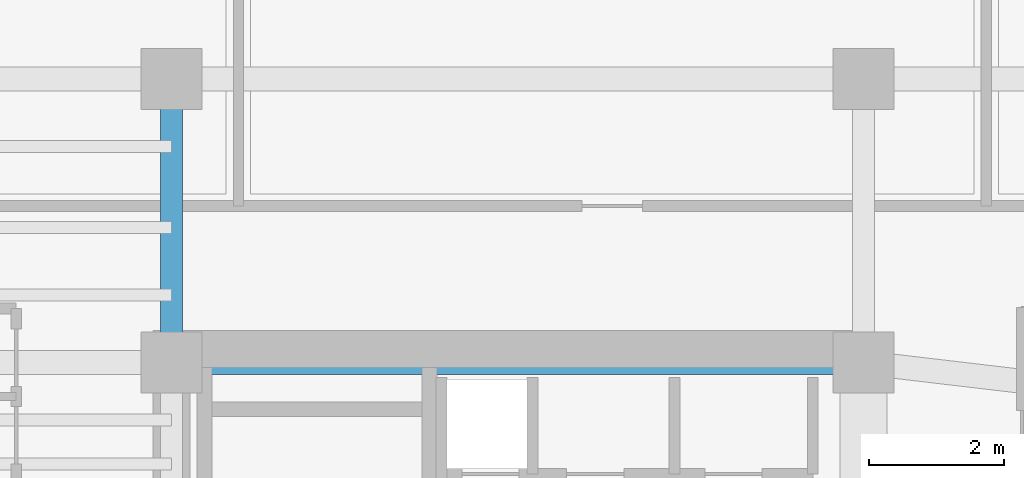
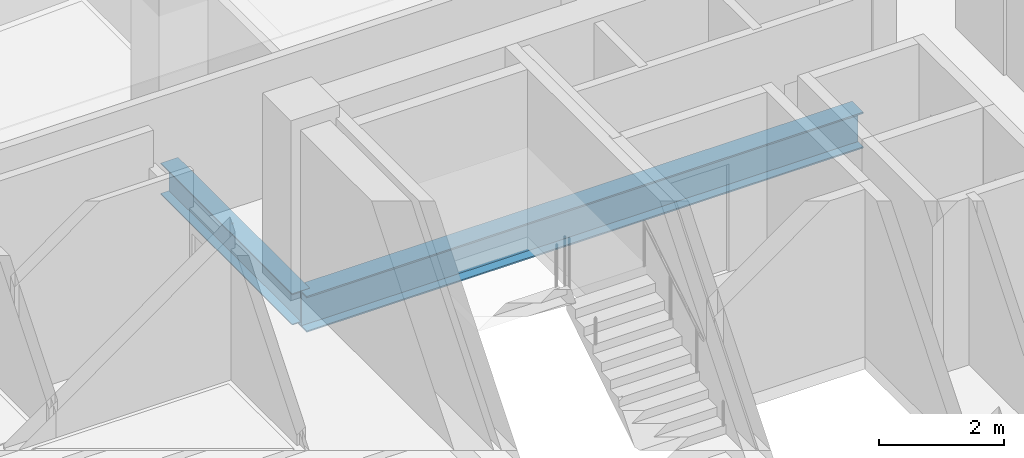
# One storey, part 9 of 21: 2 beams.
"""IFC4 building model written with IfcOpenShell, lengths in metres."""

from ifc_helpers import new_model, si_unit, direction, frame, origin, origin_2d, place, context, subcontext, project, spatial, i_section, extrude, source, transform, mapped, material, material_profile, profile_set, type_object, element, save


model = new_model("IFC4")

# Units and contexts
model_context = context("Model", 3, precision=1e-05, world=origin(), true_north=direction((0.0, 1.0)))
body_context = subcontext(model_context, "Body", "Model", "MODEL_VIEW")
ifc_project = project(units=[si_unit("LENGTHUNIT", "METRE"), si_unit("AREAUNIT", "SQUARE_METRE"), si_unit("VOLUMEUNIT", "CUBIC_METRE"), si_unit("PLANEANGLEUNIT", "RADIAN"), si_unit("MASSUNIT", "GRAM", prefix="KILO")], contexts=[model_context])

# Site, building, storey
site_placement = place(None, origin())
site = spatial("IfcSite", under=ifc_project, at=site_placement, CompositionType="ELEMENT")
building_placement = place(site_placement, origin())
building = spatial("IfcBuilding", under=site, at=building_placement, Name="Valdorenza Pilgrim Sanctuary Tower", CompositionType="ELEMENT")
storey_placement = place(building_placement, frame((0.0, 0.0, 223.0)))
storey = spatial("IfcBuildingStorey", under=building, at=storey_placement, Name="L57", CompositionType="ELEMENT", Elevation=223.0)

# Beams
ifc_material = material(Name="Steel ASTM A992 Grade 50", Category="steel")
ifc_material_profile_1 = material_profile(ifc_material, i_section(OverallWidth=0.323974609375, OverallDepth=0.611083984375, WebThickness=0.0126953125, FlangeThickness=0.01904296875, at=origin_2d()), Name="W24X104")
ifc_profile_set_1 = profile_set([ifc_material_profile_1], Name="Steel ASTM A992 Grade 50")
beam_type_1 = type_object("IfcBeamType", Name="STR-BM-GRD-W24B", PredefinedType="BEAM", material=ifc_profile_set_1)
shared_shape_1 = source(origin(), body_context, "Body", "SweptSolid", [
    extrude(i_section(OverallWidth=0.323974609375, OverallDepth=0.611083984375, WebThickness=0.0126953125, FlangeThickness=0.01904296875, at=origin_2d()), origin(), (0.0, 0.0, 1.0), 4.199951171875),
])
beam_1_placement = place(storey_placement, frame((-22.64990234375, 10.60009765625, -0.54541015625), z_axis=(0.0, 1.0, 0.0), x_axis=(-1.0, 0.0, 0.0)))
element("IfcBeam", 1, at=beam_1_placement, inside=storey, type_object=beam_type_1, Name="L57 Core Tie Girder CA-W-N1N2", PredefinedType="BEAM", context=body_context, shape_type="MappedRepresentation", body=[
    mapped(shared_shape_1, transform((0.0, 0.0, 0.0), x_axis=(1.0, 0.0, 0.0), y_axis=(0.0, 1.0, 0.0), z_axis=(0.0, 0.0, 1.0), scale=1.0)),
])
ifc_material_profile_2 = material_profile(ifc_material, i_section(OverallWidth=0.35595703125, OverallDepth=0.700927734375, WebThickness=0.016845703125, FlangeThickness=0.02734375, at=origin_2d()), Name="W27X161")
ifc_profile_set_2 = profile_set([ifc_material_profile_2], Name="Steel ASTM A992 Grade 50")
beam_type_2 = type_object("IfcBeamType", Name="STR-BM-GRD-W27", PredefinedType="BEAM", material=ifc_profile_set_2)
shared_shape_2 = source(origin(), body_context, "Body", "SweptSolid", [
    extrude(i_section(OverallWidth=0.35595703125, OverallDepth=0.700927734375, WebThickness=0.016845703125, FlangeThickness=0.02734375, at=origin_2d()), origin(), (0.0, 0.0, 1.0), 10.25),
])
beam_2_placement = place(storey_placement, frame((-22.64990234375, 10.60009765625, -0.590576171875), z_axis=(1.0, 0.0, 0.0), x_axis=(0.0, 1.0, 0.0)))
element("IfcBeam", 2, at=beam_2_placement, inside=storey, type_object=beam_type_2, Name="L57 Floor Girder CA-XC-N1", PredefinedType="BEAM", context=body_context, shape_type="MappedRepresentation", body=[
    mapped(shared_shape_2, transform((0.0, 0.0, 0.0), x_axis=(1.0, 0.0, 0.0), y_axis=(0.0, 1.0, 0.0), z_axis=(0.0, 0.0, 1.0), scale=1.0)),
])

save(model, "model.ifc")
